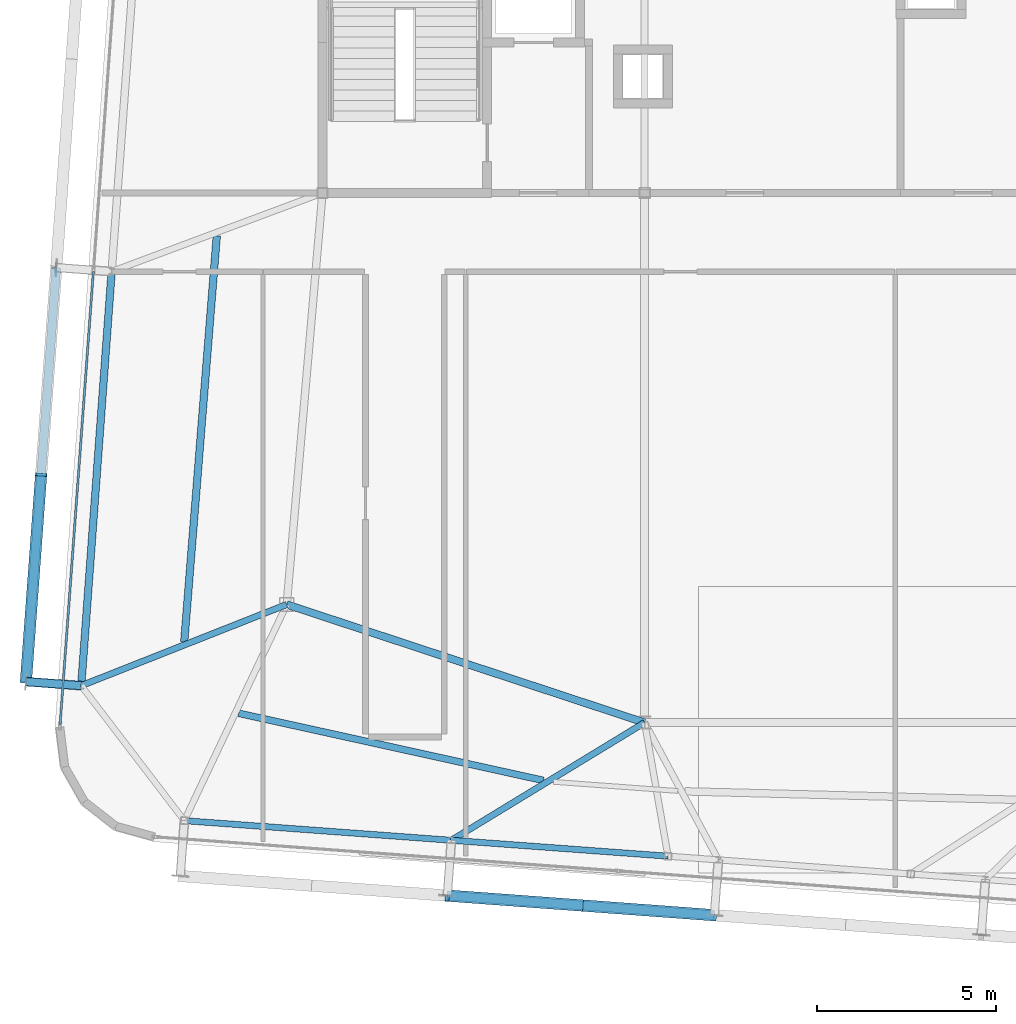
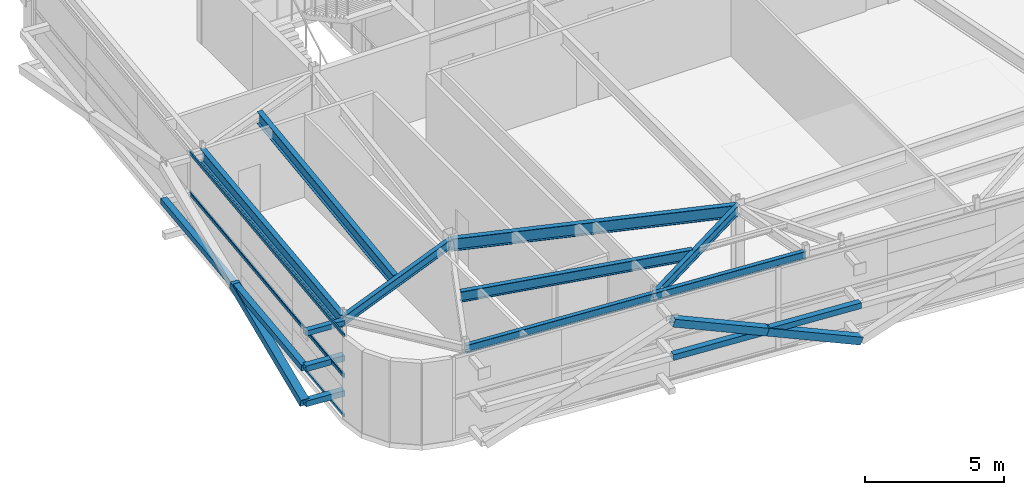
# One storey, part 10 of 35: 12 members, 8 beams, 2 elements without a shape of their own.
"""IFC4 building model written with IfcOpenShell, lengths in metres."""

from ifc_helpers import new_model, si_unit, direction, frame, origin, origin_2d, place, context, subcontext, project, spatial, hollow_rectangle, i_section, extrude, source, transform, mapped, material, layer, layer_set, material_profile, profile_set, type_object, element, aggregate, save


model = new_model("IFC4")

# Units and contexts
model_context = context("Model", 3, precision=1e-05, world=origin(), true_north=direction((0.0, 1.0)))
body_context = subcontext(model_context, "Body", "Model", "MODEL_VIEW")
ifc_project = project(units=[si_unit("LENGTHUNIT", "METRE"), si_unit("AREAUNIT", "SQUARE_METRE"), si_unit("VOLUMEUNIT", "CUBIC_METRE"), si_unit("PLANEANGLEUNIT", "RADIAN"), si_unit("MASSUNIT", "GRAM", prefix="KILO")], contexts=[model_context])

# Site, building, storey
site_placement = place(None, origin())
site = spatial("IfcSite", under=ifc_project, at=site_placement, CompositionType="ELEMENT")
building_placement = place(site_placement, origin())
building = spatial("IfcBuilding", under=site, at=building_placement, Name="Taldren Reach Tower", CompositionType="ELEMENT")
storey_placement = place(building_placement, frame((0.0, 0.0, 249.199951171875)))
storey = spatial("IfcBuildingStorey", under=building, at=storey_placement, Name="L76", CompositionType="ELEMENT", Elevation=249.199951171875)

# Beams
ifc_material_1 = material(Name="Steel Gr 350 (350PLUS)", Category="steel")
ifc_material_profile_1 = material_profile(ifc_material_1, i_section(OverallWidth=0.208984375, OverallDepth=0.532958984375, WebThickness=0.01025390625, FlangeThickness=0.015625, at=origin_2d()), Name="530UB92.4")
ifc_profile_set_1 = profile_set([ifc_material_profile_1], Name="Steel Gr 350 (350PLUS)")
beam_type_1 = type_object("IfcBeamType", Name="BM-UB530A", PredefinedType="BEAM", material=ifc_profile_set_1)
shared_shape_1 = source(origin(), body_context, "Body", "SweptSolid", [
    extrude(i_section(OverallWidth=0.208984375, OverallDepth=0.532958984375, WebThickness=0.01025390625, FlangeThickness=0.015625, at=origin_2d()), origin(), (0.0, 0.0, 1.0), 10.530517578125),
])
beam_1_placement = place(storey_placement, frame((18.0, 12.5, 3.303466796875), z_axis=(0.949627269203, -0.313381635689, 0.0), x_axis=(0.313381635689, 0.949627269203, 0.0)))
element("IfcBeam", 1, at=beam_1_placement, inside=storey, type_object=beam_type_1, Name="Core-spine girder L76-SP10", PredefinedType="BEAM", context=body_context, shape_type="MappedRepresentation", body=[
    mapped(shared_shape_1, transform((0.0, 0.0, 0.0), scale=1.0)),
])
ifc_material_profile_2 = material_profile(ifc_material_1, i_section(OverallWidth=0.172119140625, OverallDepth=0.35888671875, WebThickness=0.008056640625, FlangeThickness=0.012939453125, at=origin_2d()), Name="360UB56.7")
ifc_profile_set_2 = profile_set([ifc_material_profile_2], Name="Steel Gr 350 (350PLUS)")
beam_type_2 = type_object("IfcBeamType", Name="SP-UB360", PredefinedType="SPANDREL", material=ifc_profile_set_2)
shared_shape_2 = source(origin(), body_context, "Body", "SweptSolid", [
    extrude(i_section(OverallWidth=0.172119140625, OverallDepth=0.35888671875, WebThickness=0.008056640625, FlangeThickness=0.012939453125, at=origin_2d()), origin(), (0.0, 0.0, 1.0), 7.47998046875),
])
beam_2_placement = place(storey_placement, frame((15.140625, 6.460205078125, 3.390625), z_axis=(0.997314220642, -0.07324169103, 0.0), x_axis=(0.07324169103, 0.997314220642, 0.0)))
element("IfcBeam", 2, at=beam_2_placement, inside=storey, type_object=beam_type_2, Name="Perimeter spandrel B5 S1-S2 L76", PredefinedType="SPANDREL", context=body_context, shape_type="MappedRepresentation", body=[
    mapped(shared_shape_2, transform((0.0, 0.0, 0.0), scale=1.0)),
])
shared_shape_3 = source(origin(), body_context, "Body", "SweptSolid", [
    extrude(i_section(OverallWidth=0.172119140625, OverallDepth=0.35888671875, WebThickness=0.008056640625, FlangeThickness=0.012939453125, at=origin_2d()), origin(), (0.0, 0.0, 1.0), 6.070068359375),
])
beam_3_placement = place(storey_placement, frame((22.6005859375, 5.912353515625, 3.390625), z_axis=(0.997314196413, -0.073242020958, 0.0), x_axis=(0.073242020958, 0.997314196413, 0.0)))
element("IfcBeam", 3, at=beam_3_placement, inside=storey, type_object=beam_type_2, Name="Perimeter spandrel B5 S2-PJ1 L76", PredefinedType="SPANDREL", context=body_context, shape_type="MappedRepresentation", body=[
    mapped(shared_shape_3, transform((0.0, 0.0, 0.0), scale=1.0)),
])
ifc_material_profile_3 = material_profile(ifc_material_1, i_section(OverallWidth=0.208984375, OverallDepth=0.528076171875, WebThickness=0.009521484375, FlangeThickness=0.01318359375, at=origin_2d()), Name="530UB82.0")
ifc_profile_set_3 = profile_set([ifc_material_profile_3], Name="Steel Gr 350 (350PLUS)")
beam_type_3 = type_object("IfcBeamType", Name="SP-UB530B", PredefinedType="SPANDREL", material=ifc_profile_set_3)
shared_shape_4 = source(origin(), body_context, "Body", "SweptSolid", [
    extrude(i_section(OverallWidth=0.208984375, OverallDepth=0.528076171875, WebThickness=0.009521484375, FlangeThickness=0.01318359375, at=origin_2d()), origin(), (0.0, 0.0, 1.0), 11.60009765625),
])
beam_4_placement = place(storey_placement, frame((13.108642578125, 21.80029296875, 3.30615234375), z_axis=(-0.073242167855, -0.997314185625, 0.0), x_axis=(0.997314185625, -0.073242167855, 0.0)))
element("IfcBeam", 4, at=beam_4_placement, inside=storey, type_object=beam_type_3, Name="Perimeter spandrel B5 W2-W1 L76", PredefinedType="SPANDREL", context=body_context, shape_type="MappedRepresentation", body=[
    mapped(shared_shape_4, transform((0.0, 0.0, 0.0), scale=1.0)),
])
ifc_material_profile_4 = material_profile(ifc_material_1, i_section(OverallWidth=0.177978515625, OverallDepth=0.406005859375, WebThickness=0.0078125, FlangeThickness=0.0126953125, at=origin_2d()), Name="410UB59.7")
ifc_profile_set_4 = profile_set([ifc_material_profile_4], Name="Steel Gr 350 (350PLUS)")
beam_type_4 = type_object("IfcBeamType", Name="BM-UB410", PredefinedType="BEAM", material=ifc_profile_set_4)
shared_shape_5 = source(origin(), body_context, "Body", "SweptSolid", [
    extrude(i_section(OverallWidth=0.177978515625, OverallDepth=0.406005859375, WebThickness=0.0078125, FlangeThickness=0.0126953125, at=origin_2d()), origin(), (0.0, 0.0, 1.0), 6.321533203125),
])
beam_5_placement = place(storey_placement, frame((28.0, 9.199951171875, 3.366943359375), z_axis=(-0.854128445192, -0.520062110823, 0.0), x_axis=(0.520062110823, -0.854128445192, 0.0)))
element("IfcBeam", 5, at=beam_5_placement, inside=storey, type_object=beam_type_4, Name="Primary floor girder B5-S2 L76", PredefinedType="BEAM", context=body_context, shape_type="MappedRepresentation", body=[
    mapped(shared_shape_5, transform((0.0, 0.0, 0.0), scale=1.0)),
])
shared_shape_6 = source(origin(), body_context, "Body", "SweptSolid", [
    extrude(i_section(OverallWidth=0.177978515625, OverallDepth=0.406005859375, WebThickness=0.0078125, FlangeThickness=0.0126953125, at=origin_2d()), origin(), (0.0, 0.0, 1.0), 6.1728515625),
])
beam_6_placement = place(storey_placement, frame((18.0, 12.5, 3.366943359375), z_axis=(-0.930023287794, -0.367500590695, 0.0), x_axis=(0.367500590695, -0.930023287794, 0.0)))
element("IfcBeam", 6, at=beam_6_placement, inside=storey, type_object=beam_type_4, Name="Primary floor girder B5-W1 L76", PredefinedType="BEAM", context=body_context, shape_type="MappedRepresentation", body=[
    mapped(shared_shape_6, transform((0.0, 0.0, 0.0), scale=1.0)),
])
ifc_material_profile_5 = material_profile(ifc_material_1, i_section(OverallWidth=0.19091796875, OverallDepth=0.4599609375, WebThickness=0.010009765625, FlangeThickness=0.01611328125, at=origin_2d()), Name="460UB82.1")
ifc_profile_set_5 = profile_set([ifc_material_profile_5], Name="Steel Gr 350 (350PLUS)")
beam_type_5 = type_object("IfcBeamType", Name="BM-UB460A", PredefinedType="BEAM", material=ifc_profile_set_5)
shared_shape_7 = source(origin(), body_context, "Body", "SweptSolid", [
    extrude(i_section(OverallWidth=0.19091796875, OverallDepth=0.4599609375, WebThickness=0.010009765625, FlangeThickness=0.01611328125, at=origin_2d()), origin(), (0.0, 0.0, 1.0), 8.719482421875),
])
beam_7_placement = place(storey_placement, frame((16.659423828125, 9.46044921875, 3.340087890625), z_axis=(0.976568964704, -0.2152046867, 0.0), x_axis=(0.2152046867, 0.976568964704, 0.0)))
element("IfcBeam", 7, at=beam_7_placement, inside=storey, type_object=beam_type_5, Name="Secondary floor beam B5 J1 L76", PredefinedType="BEAM", context=body_context, shape_type="MappedRepresentation", body=[
    mapped(shared_shape_7, transform((0.0, 0.0, 0.0), scale=1.0)),
])
shared_shape_8 = source(origin(), body_context, "Body", "SweptSolid", [
    extrude(i_section(OverallWidth=0.208984375, OverallDepth=0.532958984375, WebThickness=0.01025390625, FlangeThickness=0.015625, at=origin_2d()), origin(), (0.0, 0.0, 1.0), 11.3740234375),
])
beam_8_placement = place(storey_placement, frame((15.137451171875, 11.464599609375, 3.303466796875), z_axis=(0.079913287803, 0.996801819036, 0.0), x_axis=(-0.996801819036, 0.079913287803, 0.0)))
element("IfcBeam", 8, at=beam_8_placement, inside=storey, type_object=beam_type_1, Name="Secondary floor beam B5 J6 L76", PredefinedType="BEAM", context=body_context, shape_type="MappedRepresentation", body=[
    mapped(shared_shape_8, transform((0.0, 0.0, 0.0), scale=1.0)),
])

# Members
ifc_material_2 = material(Name="Steel Gr 450 (C450L0)", Category="steel")
ifc_material_profile_6 = material_profile(ifc_material_2, hollow_rectangle(XDim=0.219970703125, YDim=0.219970703125, WallThickness=0.00830078125, at=origin_2d()), Name="220x220x8.2SHS")
ifc_profile_set_6 = profile_set([ifc_material_profile_6], Name="Steel Gr 450 (C450L0)")
member_type_1 = type_object("IfcMemberType", Name="MB-TIE219", PredefinedType="STRUT", material=ifc_profile_set_6)
shared_shape_9 = source(origin(), body_context, "Body", "SweptSolid", [
    extrude(hollow_rectangle(XDim=0.219970703125, YDim=0.219970703125, WallThickness=0.00830078125, at=origin_2d()), origin(), (0.0, 0.0, 1.0), 1.5458984375),
])
member_1_placement = place(storey_placement, frame((12.255126953125, 10.231689453125, 3.2900390625), z_axis=(-0.997311530447, 0.073278313559, 0.0), x_axis=(-0.073278313559, -0.997311530447, 0.0)))
element("IfcMember", 9, at=member_1_placement, inside=storey, type_object=member_type_1, Name="Exoskeleton diaphragm tie strut B5-W1 L76", PredefinedType="STRUT", context=body_context, shape_type="MappedRepresentation", body=[
    mapped(shared_shape_9, transform((0.0, 0.0, 0.0), scale=1.0)),
])
ifc_material_3 = material(Name="Steel Gr 350 (C350L0)", Category="steel")
ifc_material_profile_7 = material_profile(ifc_material_3, hollow_rectangle(XDim=0.25, YDim=0.25, WallThickness=0.010009765625, at=origin_2d()), Name="250x250x10.0SHS")
ifc_profile_set_7 = profile_set([ifc_material_profile_7], Name="Steel Gr 350 (C350L0)")
member_type_2 = type_object("IfcMemberType", Name="MB-POST250", PredefinedType="POST", material=ifc_profile_set_7)
shared_shape_10 = source(origin(), body_context, "Body", "SweptSolid", [
    extrude(hollow_rectangle(XDim=0.25, YDim=0.25, WallThickness=0.010009765625, at=origin_2d()), origin(), (0.0, 0.0, 1.0), 7.47998046875),
])
member_2_placement = place(storey_placement, frame((22.487060546875, 4.36669921875, 1.755126953125), z_axis=(0.997314220642, -0.07324169103, 0.0), x_axis=(0.07324169103, 0.997314220642, 0.0)))
element("IfcMember", 10, at=member_2_placement, inside=storey, type_object=member_type_2, Name="Exoskeleton mid-height ring chord B5-S2 L76", PredefinedType="POST", context=body_context, shape_type="MappedRepresentation", body=[
    mapped(shared_shape_10, transform((0.0, 0.0, 0.0), scale=1.0)),
])
shared_shape_11 = source(origin(), body_context, "Body", "SweptSolid", [
    extrude(hollow_rectangle(XDim=0.25, YDim=0.25, WallThickness=0.010009765625, at=origin_2d()), origin(), (0.0, 0.0, 1.0), 11.60009765625),
])
member_3_placement = place(storey_placement, frame((10.71337890625, 10.344970703125, 1.755126953125), z_axis=(0.073221234109, 0.997315722766, 0.0), x_axis=(-0.997315722766, 0.073221234109, 0.0)))
element("IfcMember", 11, at=member_3_placement, inside=storey, type_object=member_type_2, Name="Exoskeleton mid-height ring chord B5-W1 L76", PredefinedType="POST", context=body_context, shape_type="MappedRepresentation", body=[
    mapped(shared_shape_11, transform((0.0, 0.0, 0.0), scale=1.0)),
])
shared_shape_12 = source(origin(), body_context, "Body", "SweptSolid", [
    extrude(hollow_rectangle(XDim=0.25, YDim=0.25, WallThickness=0.010009765625, at=origin_2d()), origin(), (0.0, 0.0, 1.0), 1.5458984375),
])
for number, where, z_axis, x_axis, name in (
    (12, (12.255126953125, 10.231689453125, 0.219970703125), (-0.997311530447, 0.073278313559, 0.0), (-0.073278313559, -0.997311530447, 0.0), "Exoskeleton base diaphragm tie strut B5-W1 L76"),
    (13, (12.255126953125, 10.231689453125, 1.755126953125), (-0.997311530447, 0.073278313559, 0.0), (-0.073278313559, -0.997311530447, 0.0), "Exoskeleton mid-tier diaphragm tie B5-W1 L76"),
):
    element("IfcMember", number, at=place(storey_placement, frame(where, z_axis=z_axis, x_axis=x_axis)), inside=storey, type_object=member_type_2, Name=name, PredefinedType="POST", context=body_context, shape_type="MappedRepresentation", body=[
        mapped(shared_shape_12, transform((0.0, 0.0, 0.0), scale=1.0)),
    ])
ifc_material_profile_8 = material_profile(ifc_material_2, hollow_rectangle(XDim=0.324951171875, YDim=0.324951171875, WallThickness=0.0126953125, at=origin_2d()), Name="325x325x12.7SHS")
ifc_profile_set_8 = profile_set([ifc_material_profile_8], Name="Steel Gr 450 (C450L0)")
member_type_3 = type_object("IfcMemberType", Name="MB-BR324", PredefinedType="BRACE", material=ifc_profile_set_8)
shared_shape_13 = source(origin(), body_context, "Body", "SweptSolid", [
    extrude(hollow_rectangle(XDim=0.324951171875, YDim=0.324951171875, WallThickness=0.0126953125, at=origin_2d()), origin(), (0.0, 0.0, 1.0), 4.042724609375),
])
for number, where, z_axis, x_axis, name in (
    (14, (29.947021484375, 3.81884765625, 0.219970703125), (-0.922615641565, 0.067755907176, 0.37972294503), (-0.07324169103, -0.997314220642, 0.0), "Exoskeleton Diagrid Brace B5-S2 L76"),
    (15, (26.217041015625, 4.0927734375, 1.755126953125), (-0.92263679702, 0.06775746081, 0.379671262133), (-0.07324169103, -0.997314220642, 0.0), "Exoskeleton Diagrid Brace B5-S2 L76"),
):
    element("IfcMember", number, at=place(storey_placement, frame(where, z_axis=z_axis, x_axis=x_axis)), inside=storey, type_object=member_type_3, Name=name, PredefinedType="BRACE", context=body_context, shape_type="MappedRepresentation", body=[
        mapped(shared_shape_13, transform((0.0, 0.0, 0.0), scale=1.0)),
    ])
shared_shape_14 = source(origin(), body_context, "Body", "SweptSolid", [
    extrude(hollow_rectangle(XDim=0.324951171875, YDim=0.324951171875, WallThickness=0.0126953125, at=origin_2d()), origin(), (0.0, 0.0, 1.0), 5.999755859375),
])
member_4_placement = place(storey_placement, frame((10.71337890625, 10.344970703125, 0.219970703125), z_axis=(0.070763515993, 0.96411729984, 0.255871758806), x_axis=(-0.997317259472, 0.073200300267, 0.0)))
element("IfcMember", 16, at=member_4_placement, inside=storey, type_object=member_type_3, Name="Exoskeleton Diagrid Brace B5-W1 L76", PredefinedType="BRACE", context=body_context, shape_type="MappedRepresentation", body=[
    mapped(shared_shape_14, transform((0.0, 0.0, 0.0), scale=1.0)),
])

# Curtain wall, members
ifc_material_4 = material(Name="Aluminium and Low-E Glass Unitised System", Category="aluminium")
ifc_layer = layer(ifc_material_4, 0.159912109375)
ifc_layer_set = layer_set([ifc_layer], Name="Aluminium and Low-E Glass Unitised System")
curtain_wall_type = type_object("IfcCurtainWallType", Name="CW-SYS-6", PredefinedType="NOTDEFINED", material=ifc_layer_set)
curtain_wall_1_placement = place(storey_placement, origin())
curtain_wall_1 = element("IfcCurtainWall", 17, at=curtain_wall_1_placement, inside=storey, type_object=curtain_wall_type, Name="Unitised curtain wall CW-L76-W", PredefinedType="NOTDEFINED")
ifc_material_5 = material(Name="Anodised Aluminium 6063-T6", Category="aluminium")
ifc_material_profile_9 = material_profile(ifc_material_5, hollow_rectangle(XDim=0.06005859375, YDim=0.135009765625, WallThickness=0.00341796875, at=origin_2d()), Name="ALU-135x60x3.5RHS")
ifc_profile_set_9 = profile_set([ifc_material_profile_9], Name="Anodised Aluminium 6063-T6")
member_type_4 = type_object("IfcMemberType", Name="CW-TRN-150", PredefinedType="USERDEFINED", material=ifc_profile_set_9)
shared_shape_15 = source(origin(), body_context, "Body", "SweptSolid", [
    extrude(hollow_rectangle(XDim=0.06005859375, YDim=0.135009765625, WallThickness=0.00341796875, at=origin_2d()), origin(), (0.0, 0.0, 1.0), 12.687744140625),
])
member_5_placement = place(storey_placement, frame((12.597412109375, 21.80029296875, 0.030029296875), z_axis=(-0.073236592425, -0.997314595065, 0.0), x_axis=(0.997314595065, -0.073236592425, 0.0)))
member_5 = element("IfcMember", 18, at=member_5_placement, type_object=member_type_4, Name="CW-6 transom 2.1", ObjectType="TRANSOM", PredefinedType="USERDEFINED", context=body_context, shape_type="MappedRepresentation", body=[
    mapped(shared_shape_15, transform((0.0, 0.0, 0.0), scale=1.0)),
])
member_6_placement = place(storey_placement, frame((12.597412109375, 21.80029296875, 1.755126953125), z_axis=(-0.073236592425, -0.997314595065, 0.0), x_axis=(0.997314595065, -0.073236592425, 0.0)))
member_6 = element("IfcMember", 19, at=member_6_placement, type_object=member_type_4, Name="CW-6 transom 2.2", ObjectType="TRANSOM", PredefinedType="USERDEFINED", context=body_context, shape_type="MappedRepresentation", body=[
    mapped(shared_shape_15, transform((0.0, 0.0, 0.0), scale=1.0)),
])
aggregate(curtain_wall_1, [member_5, member_6])

curtain_wall_2_placement = place(storey_placement, origin())
curtain_wall_2 = element("IfcCurtainWall", 20, at=curtain_wall_2_placement, inside=storey, type_object=curtain_wall_type, Name="Unitised curtain wall CW-L76-W-T2", PredefinedType="NOTDEFINED")
member_7_placement = place(storey_placement, frame((12.597412109375, 21.80029296875, 1.81494140625), z_axis=(-0.073236592425, -0.997314595065, 0.0), x_axis=(0.997314595065, -0.073236592425, 0.0)))
member_7 = element("IfcMember", 21, at=member_7_placement, type_object=member_type_4, Name="CW-6 transom 2.1", ObjectType="TRANSOM", PredefinedType="USERDEFINED", context=body_context, shape_type="MappedRepresentation", body=[
    mapped(shared_shape_15, transform((0.0, 0.0, 0.0), scale=1.0)),
])
member_8_placement = place(storey_placement, frame((12.597412109375, 21.80029296875, 3.5400390625), z_axis=(-0.073236592425, -0.997314595065, 0.0), x_axis=(0.997314595065, -0.073236592425, 0.0)))
member_8 = element("IfcMember", 22, at=member_8_placement, type_object=member_type_4, Name="CW-6 transom 2.2", ObjectType="TRANSOM", PredefinedType="USERDEFINED", context=body_context, shape_type="MappedRepresentation", body=[
    mapped(shared_shape_15, transform((0.0, 0.0, 0.0), scale=1.0)),
])
aggregate(curtain_wall_2, [member_7, member_8])

save(model, "model.ifc")
